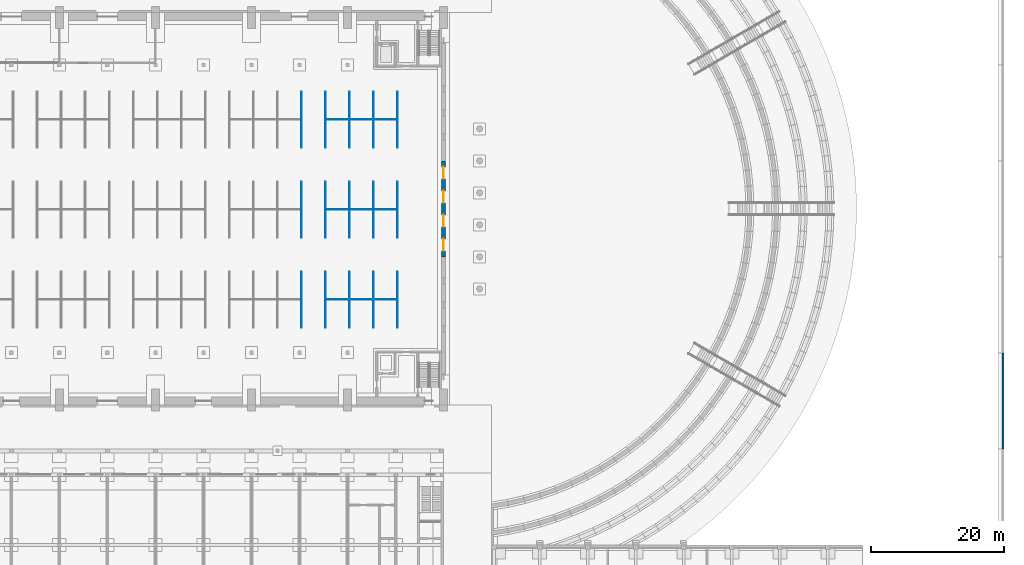
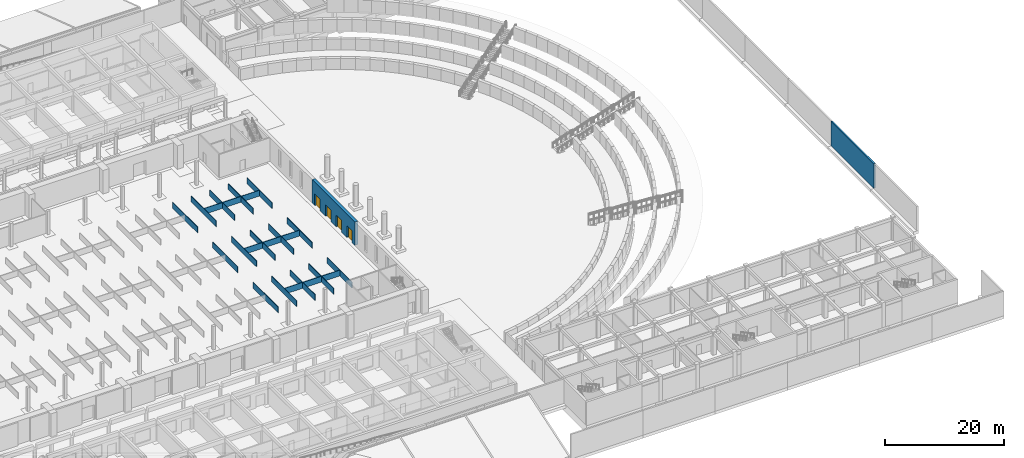
# One storey, part 47 of 73: 20 walls, 4 doors, 4 openings.
"""IFC4 building model written with IfcOpenShell, lengths in metres."""

from ifc_helpers import new_model, si_unit, direction, frame, frame_2d, origin, place, context, subcontext, project, spatial, rectangle, extrude, material, layer, layer_set, type_object, element, fill, save


model = new_model("IFC4")

# Units and contexts
model_context = context("Model", 3, precision=1e-05, world=origin(), true_north=direction((0.0, 1.0)))
body_context = subcontext(model_context, "Body", "Model", "MODEL_VIEW")
ifc_project = project(units=[si_unit("LENGTHUNIT", "METRE"), si_unit("AREAUNIT", "SQUARE_METRE"), si_unit("VOLUMEUNIT", "CUBIC_METRE"), si_unit("PLANEANGLEUNIT", "RADIAN"), si_unit("MASSUNIT", "GRAM", prefix="KILO")], contexts=[model_context])

# Site, building, storey
site_placement = place(None, origin())
site = spatial("IfcSite", under=ifc_project, at=site_placement, CompositionType="ELEMENT")
building_placement = place(site_placement, origin())
building = spatial("IfcBuilding", under=site, at=building_placement, Name="Alderwick Market Hall", CompositionType="ELEMENT")
storey_placement = place(building_placement, origin())
storey = spatial("IfcBuildingStorey", under=building, at=storey_placement, Name="LG", CompositionType="ELEMENT", Elevation=0.0)

# Walls
ifc_material_1 = material(Name="Face brick", Category="masonry")
ifc_layer_1 = layer(ifc_material_1, 0.10009765625)
ifc_layer_set_1 = layer_set([ifc_layer_1], Name="Face brick")
wall_type_1 = type_object("IfcWallType", Name="H Stall counter 100", PredefinedType="PARTITIONING", material=ifc_layer_set_1)
for number, where, z_axis, x_axis, name in (
    (1, (129.889892578125, 61.389892578125, 0.0), (0.0, 0.0, 1.0), (0.0, 1.0, 0.0), "Stall counter"),
    (2, (133.489990234375, 61.389892578125, 0.0), (0.0, 0.0, 1.0), (0.0, 1.0, 0.0), "Stall counter"),
    (3, (137.090087890625, 61.389892578125, 0.0), (0.0, 0.0, 1.0), (0.0, 1.0, 0.0), "Stall counter"),
    (4, (140.68994140625, 61.389892578125, 0.0), (0.0, 0.0, 1.0), (0.0, 1.0, 0.0), "Stall counter"),
    (5, (144.2900390625, 61.389892578125, 0.0), (0.0, 0.0, 1.0), (0.0, 1.0, 0.0), "Stall counter"),
    (6, (129.889892578125, 74.889892578125, 0.0), (0.0, 0.0, 1.0), (0.0, 1.0, 0.0), "Stall counter"),
    (7, (133.489990234375, 74.889892578125, 0.0), (0.0, 0.0, 1.0), (0.0, 1.0, 0.0), "Stall counter"),
    (8, (137.090087890625, 74.889892578125, 0.0), (0.0, 0.0, 1.0), (0.0, 1.0, 0.0), "Stall counter"),
    (9, (140.68994140625, 74.889892578125, 0.0), (0.0, 0.0, 1.0), (0.0, 1.0, 0.0), "Stall counter"),
    (10, (144.2900390625, 74.889892578125, 0.0), (0.0, 0.0, 1.0), (0.0, 1.0, 0.0), "Stall counter"),
    (11, (129.889892578125, 88.389892578125, 0.0), (0.0, 0.0, 1.0), (0.0, 1.0, 0.0), "Stall counter"),
    (12, (133.489990234375, 88.389892578125, 0.0), (0.0, 0.0, 1.0), (0.0, 1.0, 0.0), "Stall counter"),
    (13, (137.090087890625, 88.389892578125, 0.0), (0.0, 0.0, 1.0), (0.0, 1.0, 0.0), "Stall counter"),
    (14, (140.68994140625, 88.389892578125, 0.0), (0.0, 0.0, 1.0), (0.0, 1.0, 0.0), "Stall counter"),
    (15, (144.2900390625, 88.389892578125, 0.0), (0.0, 0.0, 1.0), (0.0, 1.0, 0.0), "Stall counter"),
):
    element("IfcWall", number, at=place(storey_placement, frame(where, z_axis=z_axis, x_axis=x_axis)), inside=storey, type_object=wall_type_1, Name=name, PredefinedType="PARTITIONING", context=body_context, shape_type="SweptSolid", body=[
        extrude(rectangle(XDim=8.400146484375, YDim=0.10009765625, at=frame_2d((4.2001953125, 0.0))), origin(), (0.0, 0.0, 1.0), 1.199951171875),
    ])
for number, where, z_axis, x_axis, name in (
    (16, (133.5400390625, 65.590087890625, 0.0), (0.0, 0.0, 1.0), (1.0, 0.0, 0.0), "Stall counter"),
    (17, (133.5400390625, 79.090087890625, 0.0), (0.0, 0.0, 1.0), (1.0, 0.0, 0.0), "Stall counter"),
    (18, (133.5400390625, 92.590087890625, 0.0), (0.0, 0.0, 1.0), (1.0, 0.0, 0.0), "Stall counter"),
):
    element("IfcWall", number, at=place(storey_placement, frame(where, z_axis=z_axis, x_axis=x_axis)), inside=storey, type_object=wall_type_1, Name=name, PredefinedType="PARTITIONING", context=body_context, shape_type="SweptSolid", body=[
        extrude(rectangle(XDim=10.699951171875, YDim=0.10009765625, at=frame_2d((5.35009765625, 0.0))), origin(), (0.0, 0.0, 1.0), 1.199951171875),
    ])

# Wall, openings, doors
ifc_material_2 = material(Name="Concrete 5000 psi (f'c 35 MPa)", Category="concrete")
ifc_layer_2 = layer(ifc_material_2, 0.60009765625)
ifc_layer_set_2 = layer_set([ifc_layer_2], Name="Concrete 5000 psi (f'c 35 MPa)")
wall_type_2 = type_object("IfcWallType", Name="R Portal Base Wall 600", PredefinedType="SOLIDWALL", material=ifc_layer_set_2)
wall_1_placement = place(storey_placement, frame((151.199951171875, 72.0, 0.0), z_axis=(0.0, 0.0, 1.0), x_axis=(0.0, 1.0, 0.0)))
wall_1 = element("IfcWall", 19, at=wall_1_placement, inside=storey, type_object=wall_type_2, Name="East portal base wall LG", PredefinedType="SOLIDWALL", context=body_context, shape_type="SweptSolid", body=[
    extrude(rectangle(XDim=14.39990234375, YDim=0.60009765625, at=frame_2d((7.199951171875, 0.0))), origin(), (0.0, 0.0, 1.0), 4.800048828125),
])
opening_1_placement = place(wall_1_placement, frame((0.89990234375, 0.0, 0.0)))
opening_1 = element("IfcOpeningElement", 20, at=opening_1_placement, cuts=wall_1, Name="Opening R-D006", PredefinedType="OPENING", context=body_context, shape_type="SweptSolid", body=[
    extrude(rectangle(XDim=1.800048828125, YDim=2.39990234375, at=frame_2d((0.89990234375, 1.199951171875))), frame((0.0, 0.31005859375, 0.0), z_axis=(0.0, -1.0, 0.0), x_axis=(1.0, 0.0, 0.0)), (0.0, 0.0, 1.0), 0.6201171875),
])
opening_2_placement = place(wall_1_placement, frame((4.5, 0.0, 0.0)))
opening_2 = element("IfcOpeningElement", 21, at=opening_2_placement, cuts=wall_1, Name="Opening R-D007", PredefinedType="OPENING", context=body_context, shape_type="SweptSolid", body=[
    extrude(rectangle(XDim=1.800048828125, YDim=2.39990234375, at=frame_2d((0.89990234375, 1.199951171875))), frame((0.0, 0.31005859375, 0.0), z_axis=(0.0, -1.0, 0.0), x_axis=(1.0, 0.0, 0.0)), (0.0, 0.0, 1.0), 0.6201171875),
])
opening_3_placement = place(wall_1_placement, frame((8.10009765625, 0.0, 0.0)))
opening_3 = element("IfcOpeningElement", 22, at=opening_3_placement, cuts=wall_1, Name="Opening R-D008", PredefinedType="OPENING", context=body_context, shape_type="SweptSolid", body=[
    extrude(rectangle(XDim=1.800048828125, YDim=2.39990234375, at=frame_2d((0.89990234375, 1.199951171875))), frame((0.0, 0.31005859375, 0.0), z_axis=(0.0, -1.0, 0.0), x_axis=(1.0, 0.0, 0.0)), (0.0, 0.0, 1.0), 0.6201171875),
])
opening_4_placement = place(wall_1_placement, frame((11.699951171875, 0.0, 0.0)))
opening_4 = element("IfcOpeningElement", 23, at=opening_4_placement, cuts=wall_1, Name="Opening R-D009", PredefinedType="OPENING", context=body_context, shape_type="SweptSolid", body=[
    extrude(rectangle(XDim=1.800048828125, YDim=2.39990234375, at=frame_2d((0.89990234375, 1.199951171875))), frame((0.0, 0.31005859375, 0.0), z_axis=(0.0, -1.0, 0.0), x_axis=(1.0, 0.0, 0.0)), (0.0, 0.0, 1.0), 0.6201171875),
])
ifc_material_3 = material(Name="Aluminium", Category="aluminium")
door_type = type_object("IfcDoorType", Name="R Entrance Door Pair 1800x2400", OperationType="DOUBLE_DOOR_SINGLE_SWING", PredefinedType="DOOR", material=ifc_material_3)
door_1_placement = place(opening_1_placement, origin())
door_1 = element("IfcDoor", 24, at=door_1_placement, inside=storey, type_object=door_type, Name="Door R-D006", OperationType="DOUBLE_DOOR_SINGLE_SWING", OverallHeight=2.39990234375, OverallWidth=1.800048828125, PredefinedType="DOOR", context=body_context, shape_type="SweptSolid", body=[
    extrude(rectangle(XDim=1.800048828125, YDim=2.39990234375, at=frame_2d((0.89990234375, 1.199951171875))), frame((0.0, 0.02490234375, 0.0), z_axis=(0.0, -1.0, 0.0), x_axis=(1.0, 0.0, 0.0)), (0.0, 0.0, 1.0), 0.050048828125),
])
fill(opening_1, door_1)
door_2_placement = place(opening_2_placement, origin())
door_2 = element("IfcDoor", 25, at=door_2_placement, inside=storey, type_object=door_type, Name="Door R-D007", OperationType="DOUBLE_DOOR_SINGLE_SWING", OverallHeight=2.39990234375, OverallWidth=1.800048828125, PredefinedType="DOOR", context=body_context, shape_type="SweptSolid", body=[
    extrude(rectangle(XDim=1.800048828125, YDim=2.39990234375, at=frame_2d((0.89990234375, 1.199951171875))), frame((0.0, 0.02490234375, 0.0), z_axis=(0.0, -1.0, 0.0), x_axis=(1.0, 0.0, 0.0)), (0.0, 0.0, 1.0), 0.050048828125),
])
fill(opening_2, door_2)
door_3_placement = place(opening_3_placement, origin())
door_3 = element("IfcDoor", 26, at=door_3_placement, inside=storey, type_object=door_type, Name="Door R-D008", OperationType="DOUBLE_DOOR_SINGLE_SWING", OverallHeight=2.39990234375, OverallWidth=1.800048828125, PredefinedType="DOOR", context=body_context, shape_type="SweptSolid", body=[
    extrude(rectangle(XDim=1.800048828125, YDim=2.39990234375, at=frame_2d((0.89990234375, 1.199951171875))), frame((0.0, 0.02490234375, 0.0), z_axis=(0.0, -1.0, 0.0), x_axis=(1.0, 0.0, 0.0)), (0.0, 0.0, 1.0), 0.050048828125),
])
fill(opening_3, door_3)
door_4_placement = place(opening_4_placement, origin())
door_4 = element("IfcDoor", 27, at=door_4_placement, inside=storey, type_object=door_type, Name="Door R-D009", OperationType="DOUBLE_DOOR_SINGLE_SWING", OverallHeight=2.39990234375, OverallWidth=1.800048828125, PredefinedType="DOOR", context=body_context, shape_type="SweptSolid", body=[
    extrude(rectangle(XDim=1.800048828125, YDim=2.39990234375, at=frame_2d((0.89990234375, 1.199951171875))), frame((0.0, 0.02490234375, 0.0), z_axis=(0.0, -1.0, 0.0), x_axis=(1.0, 0.0, 0.0)), (0.0, 0.0, 1.0), 0.050048828125),
])
fill(opening_4, door_4)

# Wall
ifc_layer_3 = layer(ifc_material_2, 0.300048828125)
ifc_layer_set_3 = layer_set([ifc_layer_3], Name="Concrete 5000 psi (f'c 35 MPa)")
wall_type_3 = type_object("IfcWallType", Name="S Retaining Wall 300", PredefinedType="SOLIDWALL", material=ifc_layer_set_3)
wall_2_placement = place(storey_placement, frame((235.049072265625, 43.199951171875, -0.25), z_axis=(0.0, 0.0, 1.0), x_axis=(0.0, 1.0, 0.0)))
element("IfcWall", 28, at=wall_2_placement, inside=storey, type_object=wall_type_3, Name="Boundary wall E04b", PredefinedType="SOLIDWALL", context=body_context, shape_type="SweptSolid", body=[
    extrude(rectangle(XDim=14.400146484375, YDim=0.300048828125, at=frame_2d((7.2001953125, 0.0))), origin(), (0.0, 0.0, 1.0), 5.050048828125),
])

save(model, "model.ifc")
